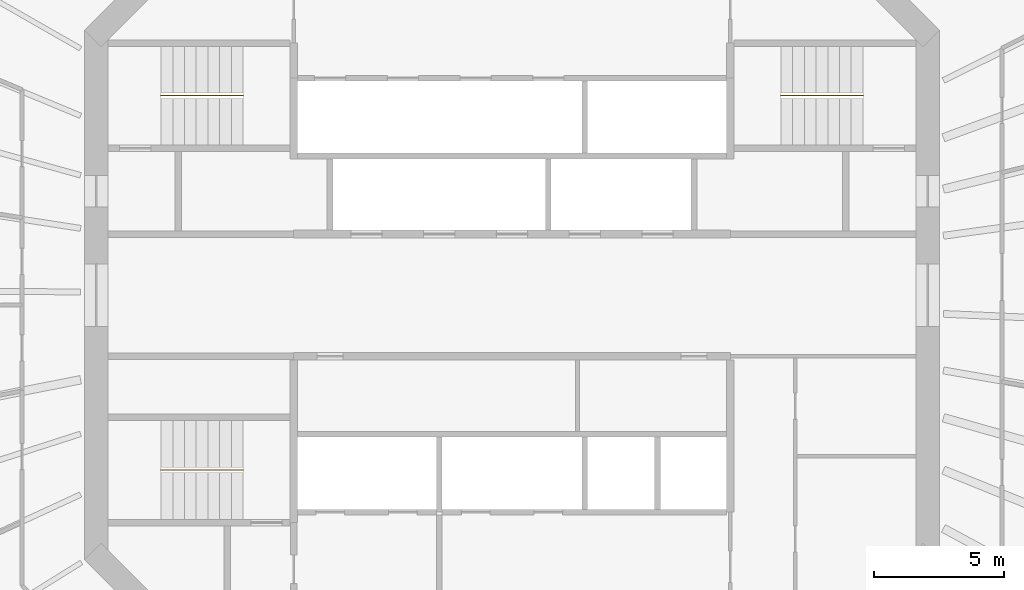
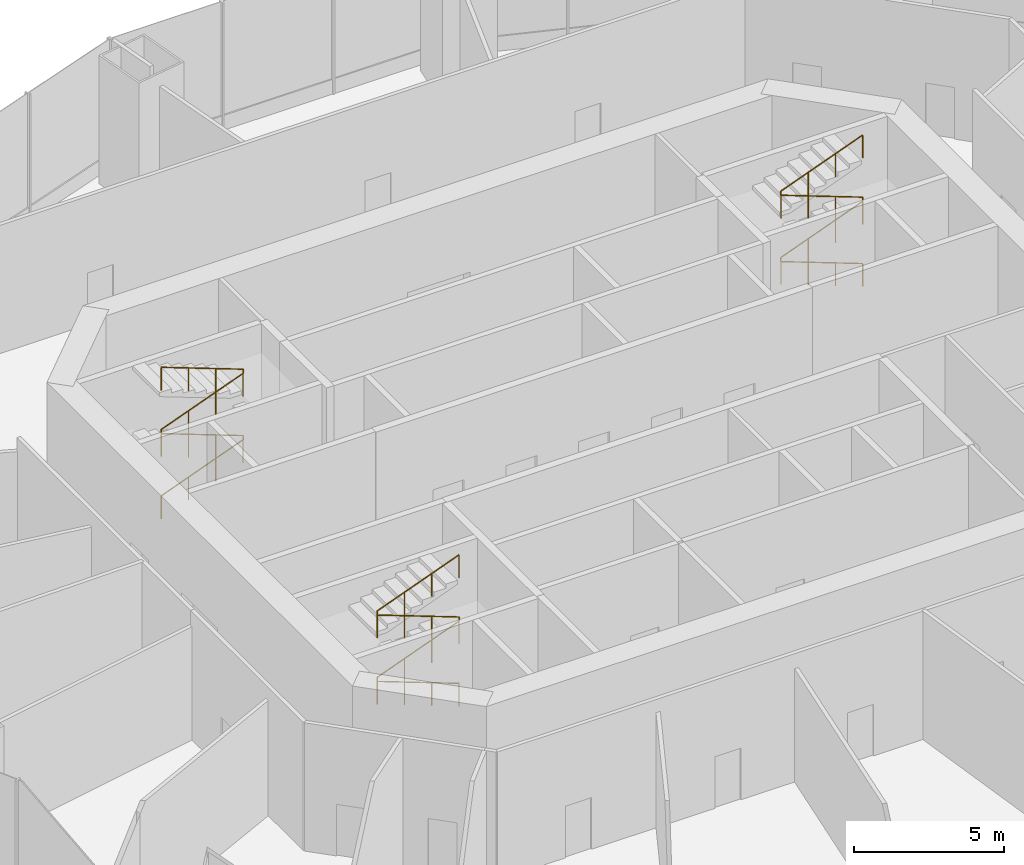
# One storey, part 15 of 15: 3 railings.
"""IFC4 building model written with IfcOpenShell, lengths in metres."""

from ifc_helpers import new_model, si_unit, direction, frame, origin, origin_2d, place, context, subcontext, project, spatial, circle, extrude, material, type_object, element, save


model = new_model("IFC4")

# Units and contexts
model_context = context("Model", 3, precision=1e-05, world=origin(), true_north=direction((0.0, 1.0)))
body_context = subcontext(model_context, "Body", "Model", "MODEL_VIEW")
ifc_project = project(units=[si_unit("LENGTHUNIT", "METRE"), si_unit("AREAUNIT", "SQUARE_METRE"), si_unit("VOLUMEUNIT", "CUBIC_METRE"), si_unit("PLANEANGLEUNIT", "RADIAN"), si_unit("MASSUNIT", "GRAM", prefix="KILO")], contexts=[model_context])

# Site, building, storey
site_placement = place(None, origin())
site = spatial("IfcSite", under=ifc_project, at=site_placement, CompositionType="ELEMENT")
building_placement = place(site_placement, origin())
building = spatial("IfcBuilding", under=site, at=building_placement, Name="Marenthal Gate Tower", CompositionType="ELEMENT")
storey_placement = place(building_placement, frame((0.0, 0.0, 155.64990234375)))
storey = spatial("IfcBuildingStorey", under=building, at=storey_placement, Name="L33", CompositionType="ELEMENT", Elevation=155.64990234375)

# Railings
ifc_material = material(Name="Stainless steel", Category="steel")
railing_type = type_object("IfcRailingType", Name="Stair handrail", PredefinedType="HANDRAIL", material=ifc_material)
railing_1_placement = place(storey_placement, frame((-13.5, 7.675048828125, 0.168701171875)))
element("IfcRailing", 1, at=railing_1_placement, inside=storey, type_object=railing_type, Name="Handrail ST1", PredefinedType="HANDRAIL", context=body_context, shape_type="SweptSolid", body=[
    extrude(circle(Radius=0.0224609375, at=origin_2d()), frame((0.0, 0.0, 0.927490234375), z_axis=(0.936311282129, 0.0, 0.351171159062), x_axis=(0.0, 1.0, 0.0)), (0.0, 0.0, 1.0), 3.3642578125),
    extrude(circle(Radius=0.0224609375, at=origin_2d()), frame((3.14990234375, 0.0, 2.10888671875), z_axis=(0.0, 0.0, 1.0), x_axis=(1.0, 0.0, 0.0)), (0.0, 0.0, 1.0), 0.168701171875),
    extrude(circle(Radius=0.0224609375, at=origin_2d()), frame((3.14990234375, 0.0, 2.277587890625), z_axis=(-0.936311282129, 0.0, 0.351171159062), x_axis=(0.0, -1.0, 0.0)), (0.0, 0.0, 1.0), 3.3642578125),
    extrude(circle(Radius=0.0224609375, at=origin_2d()), frame((0.0, 0.0, 3.458984375), z_axis=(0.0, 0.0, 1.0), x_axis=(1.0, 0.0, 0.0)), (0.0, 0.0, 1.0), 0.168701171875),
    extrude(circle(Radius=0.0224609375, at=origin_2d()), frame((0.0, 0.0, 3.627685546875), z_axis=(0.936335142327, 0.0, 0.351107535156), x_axis=(0.0, 1.0, 0.0)), (0.0, 0.0, 1.0), 3.364013671875),
    extrude(circle(Radius=0.0224609375, at=origin_2d()), frame((3.14990234375, 0.0, 4.808837890625), z_axis=(0.0, 0.0, 1.0), x_axis=(1.0, 0.0, 0.0)), (0.0, 0.0, 1.0), 0.1689453125),
    extrude(circle(Radius=0.0224609375, at=origin_2d()), frame((3.14990234375, 0.0, 4.977783203125), z_axis=(-0.936335142327, 0.0, 0.351107535156), x_axis=(0.0, -1.0, 0.0)), (0.0, 0.0, 1.0), 3.364013671875),
    extrude(circle(Radius=0.02001953125, at=origin_2d()), origin(), (0.0, 0.0, 1.0), 0.905029296875),
    extrude(circle(Radius=0.02001953125, at=origin_2d()), frame((1.050048828125, 0.0, 0.393798828125)), (0.0, 0.0, 1.0), 0.905029296875),
    extrude(circle(Radius=0.02001953125, at=origin_2d()), frame((2.099853515625, 0.0, 0.78759765625)), (0.0, 0.0, 1.0), 0.905029296875),
    extrude(circle(Radius=0.02001953125, at=origin_2d()), frame((3.14990234375, 0.0, 1.181396484375)), (0.0, 0.0, 1.0), 0.905029296875),
    extrude(circle(Radius=0.02001953125, at=origin_2d()), frame((3.14990234375, 0.0, 1.35009765625)), (0.0, 0.0, 1.0), 0.905029296875),
    extrude(circle(Radius=0.02001953125, at=origin_2d()), frame((2.099853515625, 0.0, 1.743896484375)), (0.0, 0.0, 1.0), 0.905029296875),
    extrude(circle(Radius=0.02001953125, at=origin_2d()), frame((1.050048828125, 0.0, 2.1376953125)), (0.0, 0.0, 1.0), 0.905029296875),
    extrude(circle(Radius=0.02001953125, at=origin_2d()), frame((0.0, 0.0, 2.531494140625)), (0.0, 0.0, 1.0), 0.905029296875),
    extrude(circle(Radius=0.02001953125, at=origin_2d()), frame((0.0, 0.0, 2.7001953125)), (0.0, 0.0, 1.0), 0.905029296875),
    extrude(circle(Radius=0.02001953125, at=origin_2d()), frame((1.050048828125, 0.0, 3.093994140625)), (0.0, 0.0, 1.0), 0.905029296875),
    extrude(circle(Radius=0.02001953125, at=origin_2d()), frame((2.099853515625, 0.0, 3.487548828125)), (0.0, 0.0, 1.0), 0.905029296875),
    extrude(circle(Radius=0.02001953125, at=origin_2d()), frame((3.14990234375, 0.0, 3.88134765625)), (0.0, 0.0, 1.0), 0.905029296875),
    extrude(circle(Radius=0.02001953125, at=origin_2d()), frame((3.14990234375, 0.0, 4.05029296875)), (0.0, 0.0, 1.0), 0.905029296875),
    extrude(circle(Radius=0.02001953125, at=origin_2d()), frame((2.099853515625, 0.0, 4.444091796875)), (0.0, 0.0, 1.0), 0.905029296875),
    extrude(circle(Radius=0.02001953125, at=origin_2d()), frame((1.050048828125, 0.0, 4.837646484375)), (0.0, 0.0, 1.0), 0.905029296875),
    extrude(circle(Radius=0.02001953125, at=origin_2d()), frame((0.0, 0.0, 5.2314453125)), (0.0, 0.0, 1.0), 0.905029296875),
])
railing_2_placement = place(storey_placement, frame((-10.35009765625, -6.72509765625, 0.168701171875)))
element("IfcRailing", 2, at=railing_2_placement, inside=storey, type_object=railing_type, Name="Handrail ST2", PredefinedType="HANDRAIL", context=body_context, shape_type="SweptSolid", body=[
    extrude(circle(Radius=0.0224609375, at=origin_2d()), frame((0.0, 0.0, 0.927490234375), z_axis=(-0.936311282129, 0.0, 0.351171159062), x_axis=(0.0, -1.0, 0.0)), (0.0, 0.0, 1.0), 3.3642578125),
    extrude(circle(Radius=0.0224609375, at=origin_2d()), frame((-3.14990234375, 0.0, 2.10888671875), z_axis=(0.0, 0.0, 1.0), x_axis=(1.0, 0.0, 0.0)), (0.0, 0.0, 1.0), 0.168701171875),
    extrude(circle(Radius=0.0224609375, at=origin_2d()), frame((-3.14990234375, 0.0, 2.277587890625), z_axis=(0.936311282129, 0.0, 0.351171159062), x_axis=(0.0, 1.0, 0.0)), (0.0, 0.0, 1.0), 3.3642578125),
    extrude(circle(Radius=0.0224609375, at=origin_2d()), frame((0.0, 0.0, 3.458984375), z_axis=(0.0, 0.0, 1.0), x_axis=(1.0, 0.0, 0.0)), (0.0, 0.0, 1.0), 0.168701171875),
    extrude(circle(Radius=0.0224609375, at=origin_2d()), frame((0.0, 0.0, 3.627685546875), z_axis=(-0.936335142327, 0.0, 0.351107535156), x_axis=(0.0, -1.0, 0.0)), (0.0, 0.0, 1.0), 3.364013671875),
    extrude(circle(Radius=0.0224609375, at=origin_2d()), frame((-3.14990234375, 0.0, 4.808837890625), z_axis=(0.0, 0.0, 1.0), x_axis=(1.0, 0.0, 0.0)), (0.0, 0.0, 1.0), 0.1689453125),
    extrude(circle(Radius=0.0224609375, at=origin_2d()), frame((-3.14990234375, 0.0, 4.977783203125), z_axis=(0.936335142327, 0.0, 0.351107535156), x_axis=(0.0, 1.0, 0.0)), (0.0, 0.0, 1.0), 3.364013671875),
    extrude(circle(Radius=0.02001953125, at=origin_2d()), origin(), (0.0, 0.0, 1.0), 0.905029296875),
    extrude(circle(Radius=0.02001953125, at=origin_2d()), frame((-1.050048828125, 0.0, 0.393798828125)), (0.0, 0.0, 1.0), 0.905029296875),
    extrude(circle(Radius=0.02001953125, at=origin_2d()), frame((-2.099853515625, 0.0, 0.78759765625)), (0.0, 0.0, 1.0), 0.905029296875),
    extrude(circle(Radius=0.02001953125, at=origin_2d()), frame((-3.14990234375, 0.0, 1.181396484375)), (0.0, 0.0, 1.0), 0.905029296875),
    extrude(circle(Radius=0.02001953125, at=origin_2d()), frame((-3.14990234375, 0.0, 1.35009765625)), (0.0, 0.0, 1.0), 0.905029296875),
    extrude(circle(Radius=0.02001953125, at=origin_2d()), frame((-2.099853515625, 0.0, 1.743896484375)), (0.0, 0.0, 1.0), 0.905029296875),
    extrude(circle(Radius=0.02001953125, at=origin_2d()), frame((-1.050048828125, 0.0, 2.1376953125)), (0.0, 0.0, 1.0), 0.905029296875),
    extrude(circle(Radius=0.02001953125, at=origin_2d()), frame((0.0, 0.0, 2.531494140625)), (0.0, 0.0, 1.0), 0.905029296875),
    extrude(circle(Radius=0.02001953125, at=origin_2d()), frame((0.0, 0.0, 2.7001953125)), (0.0, 0.0, 1.0), 0.905029296875),
    extrude(circle(Radius=0.02001953125, at=origin_2d()), frame((-1.050048828125, 0.0, 3.093994140625)), (0.0, 0.0, 1.0), 0.905029296875),
    extrude(circle(Radius=0.02001953125, at=origin_2d()), frame((-2.099853515625, 0.0, 3.487548828125)), (0.0, 0.0, 1.0), 0.905029296875),
    extrude(circle(Radius=0.02001953125, at=origin_2d()), frame((-3.14990234375, 0.0, 3.88134765625)), (0.0, 0.0, 1.0), 0.905029296875),
    extrude(circle(Radius=0.02001953125, at=origin_2d()), frame((-3.14990234375, 0.0, 4.05029296875)), (0.0, 0.0, 1.0), 0.905029296875),
    extrude(circle(Radius=0.02001953125, at=origin_2d()), frame((-2.099853515625, 0.0, 4.444091796875)), (0.0, 0.0, 1.0), 0.905029296875),
    extrude(circle(Radius=0.02001953125, at=origin_2d()), frame((-1.050048828125, 0.0, 4.837646484375)), (0.0, 0.0, 1.0), 0.905029296875),
    extrude(circle(Radius=0.02001953125, at=origin_2d()), frame((0.0, 0.0, 5.2314453125)), (0.0, 0.0, 1.0), 0.905029296875),
])
railing_3_placement = place(storey_placement, frame((13.5, 7.675048828125, 0.168701171875)))
element("IfcRailing", 3, at=railing_3_placement, inside=storey, type_object=railing_type, Name="Handrail ST3", PredefinedType="HANDRAIL", context=body_context, shape_type="SweptSolid", body=[
    extrude(circle(Radius=0.0224609375, at=origin_2d()), frame((0.0, 0.0, 0.927490234375), z_axis=(-0.936311282129, 0.0, 0.351171159062), x_axis=(0.0, -1.0, 0.0)), (0.0, 0.0, 1.0), 3.3642578125),
    extrude(circle(Radius=0.0224609375, at=origin_2d()), frame((-3.14990234375, 0.0, 2.10888671875), z_axis=(0.0, 0.0, 1.0), x_axis=(1.0, 0.0, 0.0)), (0.0, 0.0, 1.0), 0.168701171875),
    extrude(circle(Radius=0.0224609375, at=origin_2d()), frame((-3.14990234375, 0.0, 2.277587890625), z_axis=(0.936311282129, 0.0, 0.351171159062), x_axis=(0.0, 1.0, 0.0)), (0.0, 0.0, 1.0), 3.3642578125),
    extrude(circle(Radius=0.0224609375, at=origin_2d()), frame((0.0, 0.0, 3.458984375), z_axis=(0.0, 0.0, 1.0), x_axis=(1.0, 0.0, 0.0)), (0.0, 0.0, 1.0), 0.168701171875),
    extrude(circle(Radius=0.0224609375, at=origin_2d()), frame((0.0, 0.0, 3.627685546875), z_axis=(-0.936335142327, 0.0, 0.351107535156), x_axis=(0.0, -1.0, 0.0)), (0.0, 0.0, 1.0), 3.364013671875),
    extrude(circle(Radius=0.0224609375, at=origin_2d()), frame((-3.14990234375, 0.0, 4.808837890625), z_axis=(0.0, 0.0, 1.0), x_axis=(1.0, 0.0, 0.0)), (0.0, 0.0, 1.0), 0.1689453125),
    extrude(circle(Radius=0.0224609375, at=origin_2d()), frame((-3.14990234375, 0.0, 4.977783203125), z_axis=(0.936335142327, 0.0, 0.351107535156), x_axis=(0.0, 1.0, 0.0)), (0.0, 0.0, 1.0), 3.364013671875),
    extrude(circle(Radius=0.02001953125, at=origin_2d()), origin(), (0.0, 0.0, 1.0), 0.905029296875),
    extrude(circle(Radius=0.02001953125, at=origin_2d()), frame((-1.050048828125, 0.0, 0.393798828125)), (0.0, 0.0, 1.0), 0.905029296875),
    extrude(circle(Radius=0.02001953125, at=origin_2d()), frame((-2.099853515625, 0.0, 0.78759765625)), (0.0, 0.0, 1.0), 0.905029296875),
    extrude(circle(Radius=0.02001953125, at=origin_2d()), frame((-3.14990234375, 0.0, 1.181396484375)), (0.0, 0.0, 1.0), 0.905029296875),
    extrude(circle(Radius=0.02001953125, at=origin_2d()), frame((-3.14990234375, 0.0, 1.35009765625)), (0.0, 0.0, 1.0), 0.905029296875),
    extrude(circle(Radius=0.02001953125, at=origin_2d()), frame((-2.099853515625, 0.0, 1.743896484375)), (0.0, 0.0, 1.0), 0.905029296875),
    extrude(circle(Radius=0.02001953125, at=origin_2d()), frame((-1.050048828125, 0.0, 2.1376953125)), (0.0, 0.0, 1.0), 0.905029296875),
    extrude(circle(Radius=0.02001953125, at=origin_2d()), frame((0.0, 0.0, 2.531494140625)), (0.0, 0.0, 1.0), 0.905029296875),
    extrude(circle(Radius=0.02001953125, at=origin_2d()), frame((0.0, 0.0, 2.7001953125)), (0.0, 0.0, 1.0), 0.905029296875),
    extrude(circle(Radius=0.02001953125, at=origin_2d()), frame((-1.050048828125, 0.0, 3.093994140625)), (0.0, 0.0, 1.0), 0.905029296875),
    extrude(circle(Radius=0.02001953125, at=origin_2d()), frame((-2.099853515625, 0.0, 3.487548828125)), (0.0, 0.0, 1.0), 0.905029296875),
    extrude(circle(Radius=0.02001953125, at=origin_2d()), frame((-3.14990234375, 0.0, 3.88134765625)), (0.0, 0.0, 1.0), 0.905029296875),
    extrude(circle(Radius=0.02001953125, at=origin_2d()), frame((-3.14990234375, 0.0, 4.05029296875)), (0.0, 0.0, 1.0), 0.905029296875),
    extrude(circle(Radius=0.02001953125, at=origin_2d()), frame((-2.099853515625, 0.0, 4.444091796875)), (0.0, 0.0, 1.0), 0.905029296875),
    extrude(circle(Radius=0.02001953125, at=origin_2d()), frame((-1.050048828125, 0.0, 4.837646484375)), (0.0, 0.0, 1.0), 0.905029296875),
    extrude(circle(Radius=0.02001953125, at=origin_2d()), frame((0.0, 0.0, 5.2314453125)), (0.0, 0.0, 1.0), 0.905029296875),
])

save(model, "model.ifc")
